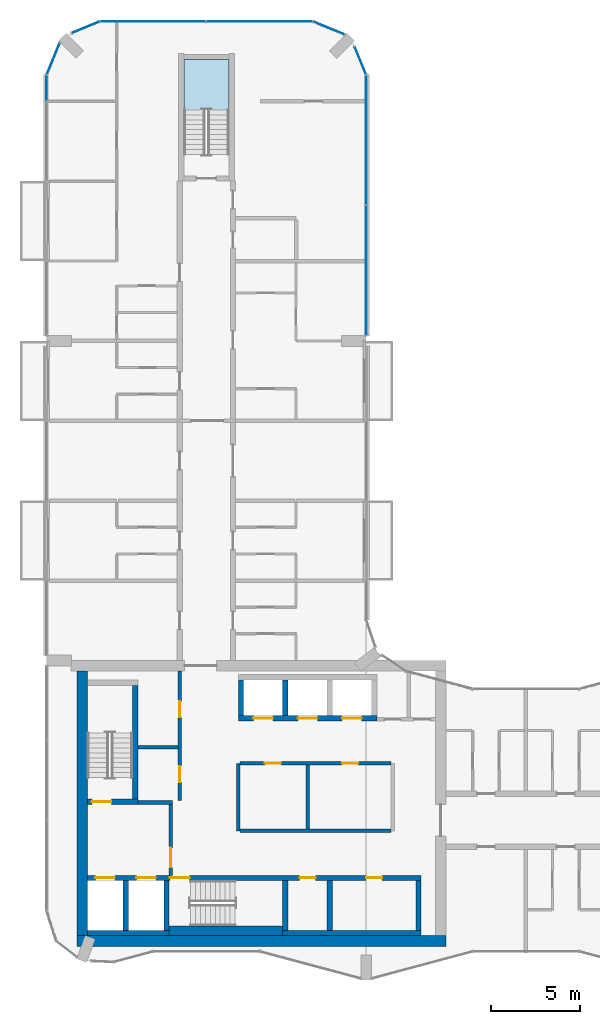
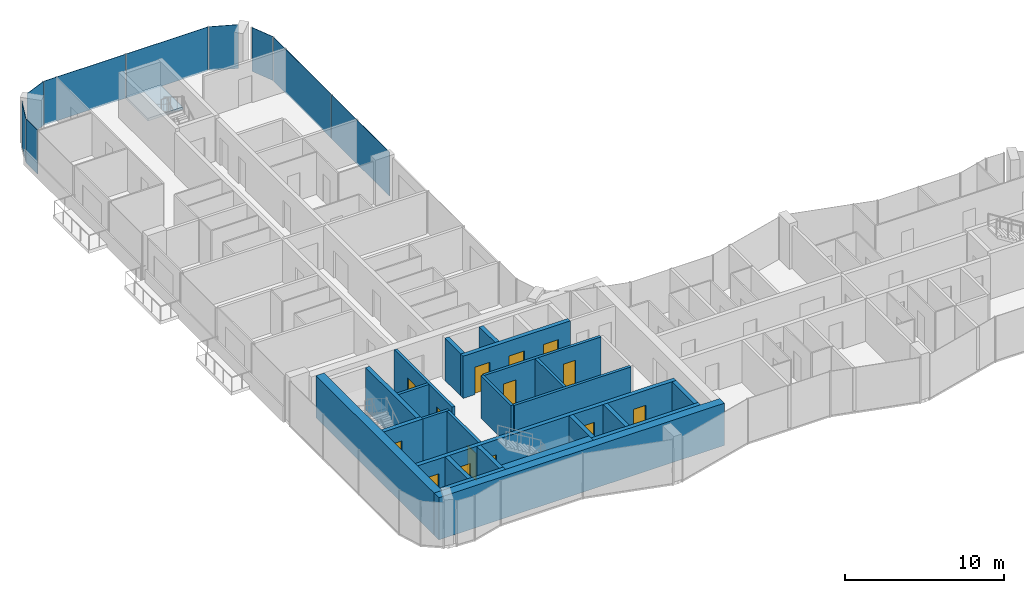
# One storey, part 9 of 16: 24 walls, 14 doors, 9 plates, 1 slab, 14 openings, 8 elements without a shape of their own.
"""IFC4 building model written with IfcOpenShell, lengths in metres."""

from ifc_helpers import new_model, si_unit, direction, frame, frame_2d, origin, origin_2d, place, context, subcontext, project, spatial, polyline, rectangle, outline, extrude, material, layer, layer_set, type_object, element, fill, aggregate, save


model = new_model("IFC4")

# Units and contexts
model_context = context("Model", 3, precision=1e-05, world=origin(), true_north=direction((0.0, 1.0)))
body_context = subcontext(model_context, "Body", "Model", "MODEL_VIEW")
ifc_project = project(units=[si_unit("LENGTHUNIT", "METRE"), si_unit("AREAUNIT", "SQUARE_METRE"), si_unit("VOLUMEUNIT", "CUBIC_METRE"), si_unit("PLANEANGLEUNIT", "RADIAN"), si_unit("MASSUNIT", "GRAM", prefix="KILO")], contexts=[model_context])

# Site, building, storey
site_placement = place(None, origin())
site = spatial("IfcSite", under=ifc_project, at=site_placement, CompositionType="ELEMENT")
building_placement = place(site_placement, origin())
building = spatial("IfcBuilding", under=site, at=building_placement, Name="Plateau Cross Towers", CompositionType="ELEMENT")
storey_placement = place(building_placement, frame((0.0, 0.0, 160.39990234375)))
storey = spatial("IfcBuildingStorey", under=building, at=storey_placement, Name="L41", CompositionType="ELEMENT", Elevation=160.39990234375)

# Curtain wall, plates
ifc_material_1 = material(Name="Dark low-iron glass", Category="glass")
ifc_layer_1 = layer(ifc_material_1, 0.239990234375)
ifc_layer_set_1 = layer_set([ifc_layer_1], Name="Dark low-iron glass")
curtain_wall_type = type_object("IfcCurtainWallType", Name="Curtain wall flush unitised CW-B", PredefinedType="NOTDEFINED", material=ifc_layer_set_1)
curtain_wall_1_placement = place(storey_placement, origin())
curtain_wall_1 = element("IfcCurtainWall", 1, at=curtain_wall_1_placement, inside=storey, type_object=curtain_wall_type, Name="ENV/A/L41/A180_363", PredefinedType="NOTDEFINED")
ifc_layer_2 = layer(ifc_material_1, 0.031982421875)
ifc_layer_set_2 = layer_set([ifc_layer_2], Name="Dark low-iron glass")
plate_type = type_object("IfcPlateType", Name="Glass panel 32 flush unitised", PredefinedType="CURTAIN_PANEL", material=ifc_layer_set_2)
plate_1_placement = place(storey_placement, frame((18.0, 39.97509765625, -0.1298828125), z_axis=(0.0, 0.0, 1.0), x_axis=(0.0, 1.0, 0.0)))
plate_1 = element("IfcPlate", 2, at=plate_1_placement, type_object=plate_type, Name="CW-B panel 1", PredefinedType="CURTAIN_PANEL", context=body_context, shape_type="SweptSolid", body=[
    extrude(rectangle(XDim=7.2900390625, YDim=0.031982421875, at=origin_2d()), origin(), (0.0, 0.0, 1.0), 3.3798828125),
])
plate_2_placement = place(storey_placement, frame((18.0, 47.324951171875, -0.1298828125), z_axis=(0.0, 0.0, 1.0), x_axis=(0.0, 1.0, 0.0)))
plate_2 = element("IfcPlate", 3, at=plate_2_placement, type_object=plate_type, Name="CW-B panel 2", PredefinedType="CURTAIN_PANEL", context=body_context, shape_type="SweptSolid", body=[
    extrude(rectangle(XDim=7.2900390625, YDim=0.031982421875, at=origin_2d()), origin(), (0.0, 0.0, 1.0), 3.3798828125),
])
aggregate(curtain_wall_1, [plate_1, plate_2])

# Curtain wall, plate
curtain_wall_2_placement = place(storey_placement, origin())
curtain_wall_2 = element("IfcCurtainWall", 4, at=curtain_wall_2_placement, inside=storey, type_object=curtain_wall_type, Name="ENV/A/L41/A180_510", PredefinedType="NOTDEFINED")
plate_3_placement = place(storey_placement, frame((17.66943359375, 51.79833984375, -0.1298828125), z_axis=(0.0, 0.0, 1.0), x_axis=(-0.382683612978, 0.923879457699, 0.0)))
plate_3 = element("IfcPlate", 5, at=plate_3_placement, type_object=plate_type, Name="CW-B panel 1", PredefinedType="CURTAIN_PANEL", context=body_context, shape_type="SweptSolid", body=[
    extrude(rectangle(XDim=1.668212890625, YDim=0.031982421875, at=origin_2d()), origin(), (0.0, 0.0, 1.0), 3.3798828125),
])
aggregate(curtain_wall_2, [plate_3])

curtain_wall_3_placement = place(storey_placement, origin())
curtain_wall_3 = element("IfcCurtainWall", 6, at=curtain_wall_3_placement, inside=storey, type_object=curtain_wall_type, Name="ENV/A/L41/A168_533", PredefinedType="NOTDEFINED")
plate_4_placement = place(storey_placement, frame((15.90283203125, 53.6259765625, -0.1298828125), z_axis=(0.0, 0.0, 1.0), x_axis=(-0.923879457699, 0.382683612978, 0.0)))
plate_4 = element("IfcPlate", 7, at=plate_4_placement, type_object=plate_type, Name="CW-B panel 1", PredefinedType="CURTAIN_PANEL", context=body_context, shape_type="SweptSolid", body=[
    extrude(rectangle(XDim=1.894775390625, YDim=0.031982421875, at=origin_2d()), origin(), (0.0, 0.0, 1.0), 3.3798828125),
])
aggregate(curtain_wall_3, [plate_4])

# Curtain wall, plates
curtain_wall_4_placement = place(storey_placement, origin())
curtain_wall_4 = element("IfcCurtainWall", 8, at=curtain_wall_4_placement, inside=storey, type_object=curtain_wall_type, Name="ENV/A/L41/A150_540", PredefinedType="NOTDEFINED")
plate_5_placement = place(storey_placement, frame((12.0, 54.0, -0.1298828125), z_axis=(0.0, 0.0, 1.0), x_axis=(-1.0, 0.0, 0.0)))
plate_5 = element("IfcPlate", 9, at=plate_5_placement, type_object=plate_type, Name="CW-B panel 1", PredefinedType="CURTAIN_PANEL", context=body_context, shape_type="SweptSolid", body=[
    extrude(rectangle(XDim=5.93994140625, YDim=0.031982421875, at=origin_2d()), origin(), (0.0, 0.0, 1.0), 3.3798828125),
])
plate_6_placement = place(storey_placement, frame((6.0, 54.0, -0.1298828125), z_axis=(0.0, 0.0, 1.0), x_axis=(-1.0, 0.0, 0.0)))
plate_6 = element("IfcPlate", 10, at=plate_6_placement, type_object=plate_type, Name="CW-B panel 2", PredefinedType="CURTAIN_PANEL", context=body_context, shape_type="SweptSolid", body=[
    extrude(rectangle(XDim=5.93994140625, YDim=0.031982421875, at=origin_2d()), origin(), (0.0, 0.0, 1.0), 3.3798828125),
])
aggregate(curtain_wall_4, [plate_5, plate_6])

# Curtain wall, plate
curtain_wall_5_placement = place(storey_placement, origin())
curtain_wall_5 = element("IfcCurtainWall", 11, at=curtain_wall_5_placement, inside=storey, type_object=curtain_wall_type, Name="ENV/A/L41/A30_540", PredefinedType="NOTDEFINED")
plate_7_placement = place(storey_placement, frame((2.20166015625, 53.66943359375, -0.1298828125), z_axis=(0.0, 0.0, 1.0), x_axis=(-0.923879457699, -0.382683612978, 0.0)))
plate_7 = element("IfcPlate", 12, at=plate_7_placement, type_object=plate_type, Name="CW-B panel 1", PredefinedType="CURTAIN_PANEL", context=body_context, shape_type="SweptSolid", body=[
    extrude(rectangle(XDim=1.668212890625, YDim=0.031982421875, at=origin_2d()), origin(), (0.0, 0.0, 1.0), 3.3798828125),
])
aggregate(curtain_wall_5, [plate_7])

curtain_wall_6_placement = place(storey_placement, origin())
curtain_wall_6 = element("IfcCurtainWall", 13, at=curtain_wall_6_placement, inside=storey, type_object=curtain_wall_type, Name="ENV/A/L41/A7_528", PredefinedType="NOTDEFINED")
plate_8_placement = place(storey_placement, frame((0.3740234375, 51.90283203125, -0.1298828125), z_axis=(0.0, 0.0, 1.0), x_axis=(-0.382683612978, -0.923879457699, 0.0)))
plate_8 = element("IfcPlate", 14, at=plate_8_placement, type_object=plate_type, Name="CW-B panel 1", PredefinedType="CURTAIN_PANEL", context=body_context, shape_type="SweptSolid", body=[
    extrude(rectangle(XDim=1.894775390625, YDim=0.031982421875, at=origin_2d()), origin(), (0.0, 0.0, 1.0), 3.3798828125),
])
aggregate(curtain_wall_6, [plate_8])

curtain_wall_7_placement = place(storey_placement, origin())
curtain_wall_7 = element("IfcCurtainWall", 15, at=curtain_wall_7_placement, inside=storey, type_object=curtain_wall_type, Name="ENV/A/L41/A0_510", PredefinedType="NOTDEFINED")
plate_9_placement = place(storey_placement, frame((0.0, 50.25, -0.1298828125), z_axis=(0.0, 0.0, 1.0), x_axis=(0.0, -1.0, 0.0)))
plate_9 = element("IfcPlate", 16, at=plate_9_placement, type_object=plate_type, Name="CW-B panel 1", PredefinedType="CURTAIN_PANEL", context=body_context, shape_type="SweptSolid", body=[
    extrude(rectangle(XDim=1.43994140625, YDim=0.031982421875, at=origin_2d()), origin(), (0.0, 0.0, 1.0), 3.3798828125),
])
aggregate(curtain_wall_7, [plate_9])

# Stair, slab
ifc_material_2 = material(Name="Concrete C40/50", Category="concrete")
stair_type = type_object("IfcStairType", Name="ST-TWR", PredefinedType="HALF_TURN_STAIR", material=ifc_material_2)
stair_placement = place(storey_placement, origin())
stair = element("IfcStair", 17, at=stair_placement, inside=storey, type_object=stair_type, Name="L41 Protected Exit Stair N", PredefinedType="HALF_TURN_STAIR")
ifc_layer_3 = layer(ifc_material_2, 0.199951171875)
ifc_layer_set_3 = layer_set([ifc_layer_3], Name="Concrete C40/50")
slab_type = type_object("IfcSlabType", Name="SL-LANDING", PredefinedType="LANDING", material=ifc_layer_set_3)
slab_placement = place(storey_placement, frame((0.0, 0.0, 1.550048828125)))
slab = element("IfcSlab", 18, at=slab_placement, type_object=slab_type, Name="ES-N landing 1", PredefinedType="LANDING", context=body_context, shape_type="SweptSolid", body=[
    extrude(outline(polyline([(10.27490234375, 49.02001953125), (10.27490234375, 51.85009765625), (7.72509765625, 51.85009765625), (7.72509765625, 49.02001953125), (10.27490234375, 49.02001953125)])), origin(), (0.0, 0.0, 1.0), 0.199951171875),
])
aggregate(stair, [slab])

# Wall, opening, door
ifc_material_3 = material(Name="Concrete block, plastered both sides", Category="concrete")
ifc_layer_4 = layer(ifc_material_3, 0.199951171875)
ifc_layer_set_4 = layer_set([ifc_layer_4], Name="Concrete block, plastered both sides")
wall_type_1 = type_object("IfcWallType", Name="Core partition 200", PredefinedType="PARTITIONING", material=ifc_layer_set_4)
wall_1_placement = place(storey_placement, frame((7.0, 5.89990234375, 0.0), z_axis=(0.0, 0.0, 1.0), x_axis=(0.0, 1.0, 0.0)))
wall_1 = element("IfcWall", 19, at=wall_1_placement, inside=storey, type_object=wall_type_1, Name="Core partition", PredefinedType="PARTITIONING", context=body_context, shape_type="SweptSolid", body=[
    extrude(rectangle(XDim=4.0, YDim=0.199951171875, at=frame_2d((2.0, 0.0))), origin(), (0.0, 0.0, 1.0), 3.25),
])
opening_1_placement = place(wall_1_placement, frame((0.449951171875, 0.0, 0.0)))
opening_1 = element("IfcOpeningElement", 20, at=opening_1_placement, cuts=wall_1, Name="Opening FFD", PredefinedType="OPENING", context=body_context, shape_type="SweptSolid", body=[
    extrude(rectangle(XDim=1.10009765625, YDim=2.10009765625, at=frame_2d((0.550048828125, 1.050048828125))), frame((0.0, 0.10986328125, 0.0), z_axis=(0.0, -1.0, 0.0), x_axis=(1.0, 0.0, 0.0)), (0.0, 0.0, 1.0), 0.219970703125),
])
ifc_material_4 = material(Name="Steel, fire-resisting leaf", Category="steel")
door_type_1 = type_object("IfcDoorType", Name="Firefighting lobby door 1100", OperationType="NOTDEFINED", PredefinedType="DOOR", material=ifc_material_4)
door_1_placement = place(opening_1_placement, origin())
door_1 = element("IfcDoor", 21, at=door_1_placement, inside=storey, type_object=door_type_1, Name="Firefighting lobby door FFD", OperationType="SINGLE_SWING_LEFT", OverallHeight=2.10009765625, OverallWidth=1.10009765625, PredefinedType="DOOR", context=body_context, shape_type="SweptSolid", body=[
    extrude(rectangle(XDim=1.10009765625, YDim=2.10009765625, at=frame_2d((0.550048828125, 1.050048828125))), frame((0.0, 0.02490234375, 0.0), z_axis=(0.0, -1.0, 0.0), x_axis=(1.0, 0.0, 0.0)), (0.0, 0.0, 1.0), 0.050048828125),
])
fill(opening_1, door_1)

# Walls
wall_2_placement = place(storey_placement, frame((5.14990234375, 10.0, 0.0), z_axis=(0.0, 0.0, 1.0), x_axis=(1.0, 0.0, 0.0)))
element("IfcWall", 22, at=wall_2_placement, inside=storey, type_object=wall_type_1, Name="Core partition", PredefinedType="PARTITIONING", context=body_context, shape_type="SweptSolid", body=[
    extrude(rectangle(XDim=1.9501953125, YDim=0.199951171875, at=frame_2d((0.97509765625, 0.0))), origin(), (0.0, 0.0, 1.0), 3.25),
])
wall_3_placement = place(storey_placement, frame((10.800048828125, 8.39990234375, 0.0), z_axis=(0.0, 0.0, 1.0), x_axis=(0.0, 1.0, 0.0)))
element("IfcWall", 23, at=wall_3_placement, inside=storey, type_object=wall_type_1, Name="Core partition", PredefinedType="PARTITIONING", context=body_context, shape_type="SweptSolid", body=[
    extrude(rectangle(XDim=3.800048828125, YDim=0.199951171875, at=frame_2d((1.89990234375, 0.0))), origin(), (0.0, 0.0, 1.0), 3.25),
])
wall_4_placement = place(storey_placement, frame((10.89990234375, 8.39990234375, 0.0), z_axis=(0.0, 0.0, 1.0), x_axis=(1.0, 0.0, 0.0)))
element("IfcWall", 24, at=wall_4_placement, inside=storey, type_object=wall_type_1, Name="Core partition", PredefinedType="PARTITIONING", context=body_context, shape_type="SweptSolid", body=[
    extrude(rectangle(XDim=8.5, YDim=0.199951171875, at=frame_2d((4.25, 0.0))), origin(), (0.0, 0.0, 1.0), 3.25),
])

# Wall, openings, doors
wall_5_placement = place(storey_placement, frame((10.89990234375, 12.199951171875, 0.0), z_axis=(0.0, 0.0, 1.0), x_axis=(1.0, 0.0, 0.0)))
wall_5 = element("IfcWall", 25, at=wall_5_placement, inside=storey, type_object=wall_type_1, Name="Core partition", PredefinedType="PARTITIONING", context=body_context, shape_type="SweptSolid", body=[
    extrude(rectangle(XDim=8.5, YDim=0.199951171875, at=frame_2d((4.25, 0.0))), origin(), (0.0, 0.0, 1.0), 3.25),
])
opening_2_placement = place(wall_5_placement, frame((1.39990234375, 0.0, 0.0)))
opening_2 = element("IfcOpeningElement", 26, at=opening_2_placement, cuts=wall_5, Name="Opening RD1", PredefinedType="OPENING", context=body_context, shape_type="SweptSolid", body=[
    extrude(rectangle(XDim=0.89990234375, YDim=2.10009765625, at=frame_2d((0.449951171875, 1.050048828125))), frame((0.0, 0.10986328125, 0.0), z_axis=(0.0, -1.0, 0.0), x_axis=(1.0, 0.0, 0.0)), (0.0, 0.0, 1.0), 0.219970703125),
])
opening_3_placement = place(wall_5_placement, frame((5.75, 0.0, 0.0)))
opening_3 = element("IfcOpeningElement", 27, at=opening_3_placement, cuts=wall_5, Name="Opening RD1", PredefinedType="OPENING", context=body_context, shape_type="SweptSolid", body=[
    extrude(rectangle(XDim=0.89990234375, YDim=2.10009765625, at=frame_2d((0.449951171875, 1.050048828125))), frame((0.0, 0.10986328125, 0.0), z_axis=(0.0, -1.0, 0.0), x_axis=(1.0, 0.0, 0.0)), (0.0, 0.0, 1.0), 0.219970703125),
])
ifc_material_5 = material(Name="Timber, fire-resisting leaf", Category="wood")
door_type_2 = type_object("IfcDoorType", Name="Core service door 900", OperationType="NOTDEFINED", PredefinedType="DOOR", material=ifc_material_5)
door_2_placement = place(opening_2_placement, origin())
door_2 = element("IfcDoor", 28, at=door_2_placement, inside=storey, type_object=door_type_2, Name="Core service door RD1", OperationType="SINGLE_SWING_LEFT", OverallHeight=2.10009765625, OverallWidth=0.89990234375, PredefinedType="DOOR", context=body_context, shape_type="SweptSolid", body=[
    extrude(rectangle(XDim=0.89990234375, YDim=2.10009765625, at=frame_2d((0.449951171875, 1.050048828125))), frame((0.0, 0.02490234375, 0.0), z_axis=(0.0, -1.0, 0.0), x_axis=(1.0, 0.0, 0.0)), (0.0, 0.0, 1.0), 0.050048828125),
])
fill(opening_2, door_2)
door_3_placement = place(opening_3_placement, origin())
door_3 = element("IfcDoor", 29, at=door_3_placement, inside=storey, type_object=door_type_2, Name="Core service door RD1", OperationType="SINGLE_SWING_LEFT", OverallHeight=2.10009765625, OverallWidth=0.89990234375, PredefinedType="DOOR", context=body_context, shape_type="SweptSolid", body=[
    extrude(rectangle(XDim=0.89990234375, YDim=2.10009765625, at=frame_2d((0.449951171875, 1.050048828125))), frame((0.0, 0.02490234375, 0.0), z_axis=(0.0, -1.0, 0.0), x_axis=(1.0, 0.0, 0.0)), (0.0, 0.0, 1.0), 0.050048828125),
])
fill(opening_3, door_3)

# Wall
wall_6_placement = place(storey_placement, frame((14.699951171875, 8.5, 0.0), z_axis=(0.0, 0.0, 1.0), x_axis=(0.0, 1.0, 0.0)))
element("IfcWall", 30, at=wall_6_placement, inside=storey, type_object=wall_type_1, Name="Core partition", PredefinedType="PARTITIONING", context=body_context, shape_type="SweptSolid", body=[
    extrude(rectangle(XDim=3.60009765625, YDim=0.199951171875, at=frame_2d((1.800048828125, 0.0))), origin(), (0.0, 0.0, 1.0), 3.25),
])

# Wall, openings, doors
wall_7_placement = place(storey_placement, frame((7.5, 10.10009765625, 0.0), z_axis=(0.0, 0.0, 1.0), x_axis=(0.0, 1.0, 0.0)))
wall_7 = element("IfcWall", 31, at=wall_7_placement, inside=storey, type_object=wall_type_1, Name="Core partition", PredefinedType="PARTITIONING", context=body_context, shape_type="SweptSolid", body=[
    extrude(rectangle(XDim=7.2998046875, YDim=0.199951171875, at=frame_2d((3.64990234375, 0.0))), origin(), (0.0, 0.0, 1.0), 3.25),
])
opening_4_placement = place(wall_7_placement, frame((1.050048828125, 0.0, 0.0)))
opening_4 = element("IfcOpeningElement", 32, at=opening_4_placement, cuts=wall_7, Name="Opening RD1", PredefinedType="OPENING", context=body_context, shape_type="SweptSolid", body=[
    extrude(rectangle(XDim=0.89990234375, YDim=2.10009765625, at=frame_2d((0.449951171875, 1.050048828125))), frame((0.0, 0.10986328125, 0.0), z_axis=(0.0, -1.0, 0.0), x_axis=(1.0, 0.0, 0.0)), (0.0, 0.0, 1.0), 0.219970703125),
])
opening_5_placement = place(wall_7_placement, frame((4.699951171875, 0.0, 0.0)))
opening_5 = element("IfcOpeningElement", 33, at=opening_5_placement, cuts=wall_7, Name="Opening RD1", PredefinedType="OPENING", context=body_context, shape_type="SweptSolid", body=[
    extrude(rectangle(XDim=0.89990234375, YDim=2.10009765625, at=frame_2d((0.449951171875, 1.050048828125))), frame((0.0, 0.10986328125, 0.0), z_axis=(0.0, -1.0, 0.0), x_axis=(1.0, 0.0, 0.0)), (0.0, 0.0, 1.0), 0.219970703125),
])
door_4_placement = place(opening_4_placement, origin())
door_4 = element("IfcDoor", 34, at=door_4_placement, inside=storey, type_object=door_type_2, Name="Core service door RD1", OperationType="SINGLE_SWING_RIGHT", OverallHeight=2.10009765625, OverallWidth=0.89990234375, PredefinedType="DOOR", context=body_context, shape_type="SweptSolid", body=[
    extrude(rectangle(XDim=0.89990234375, YDim=2.10009765625, at=frame_2d((0.449951171875, 1.050048828125))), frame((0.0, 0.02490234375, 0.0), z_axis=(0.0, -1.0, 0.0), x_axis=(1.0, 0.0, 0.0)), (0.0, 0.0, 1.0), 0.050048828125),
])
fill(opening_4, door_4)
door_5_placement = place(opening_5_placement, origin())
door_5 = element("IfcDoor", 35, at=door_5_placement, inside=storey, type_object=door_type_2, Name="Core service door RD1", OperationType="SINGLE_SWING_RIGHT", OverallHeight=2.10009765625, OverallWidth=0.89990234375, PredefinedType="DOOR", context=body_context, shape_type="SweptSolid", body=[
    extrude(rectangle(XDim=0.89990234375, YDim=2.10009765625, at=frame_2d((0.449951171875, 1.050048828125))), frame((0.0, 0.02490234375, 0.0), z_axis=(0.0, -1.0, 0.0), x_axis=(1.0, 0.0, 0.0)), (0.0, 0.0, 1.0), 0.050048828125),
])
fill(opening_5, door_5)

# Walls
wall_8_placement = place(storey_placement, frame((5.14990234375, 13.10009765625, 0.0), z_axis=(0.0, 0.0, 1.0), x_axis=(1.0, 0.0, 0.0)))
element("IfcWall", 36, at=wall_8_placement, inside=storey, type_object=wall_type_1, Name="Core partition", PredefinedType="PARTITIONING", context=body_context, shape_type="SweptSolid", body=[
    extrude(rectangle(XDim=2.25, YDim=0.199951171875, at=frame_2d((1.125, 0.0))), origin(), (0.0, 0.0, 1.0), 3.25),
])
ifc_material_6 = material(Name="Concrete C60/75", Category="concrete")
ifc_layer_5 = layer(ifc_material_6, 0.300048828125)
ifc_layer_set_5 = layer_set([ifc_layer_5], Name="Concrete C60/75")
wall_type_2 = type_object("IfcWallType", Name="Core shaft wall 300", PredefinedType="SHEAR", material=ifc_layer_set_5)
wall_9_placement = place(storey_placement, frame((2.300048828125, 2.64990234375, 0.0), z_axis=(0.0, 0.0, 1.0), x_axis=(1.0, 0.0, 0.0)))
element("IfcWall", 37, at=wall_9_placement, inside=storey, type_object=wall_type_2, Name="A-sb-back1@L41", PredefinedType="SHEAR", context=body_context, shape_type="SweptSolid", body=[
    extrude(rectangle(XDim=4.599853515625, YDim=0.300048828125, at=frame_2d((2.2998046875, 0.0))), origin(), (0.0, 0.0, 1.0), 3.25),
])
wall_10_placement = place(storey_placement, frame((13.300048828125, 2.64990234375, 0.0), z_axis=(0.0, 0.0, 1.0), x_axis=(1.0, 0.0, 0.0)))
element("IfcWall", 38, at=wall_10_placement, inside=storey, type_object=wall_type_2, Name="A-sb-back3@L41", PredefinedType="SHEAR", context=body_context, shape_type="SweptSolid", body=[
    extrude(rectangle(XDim=7.800048828125, YDim=0.300048828125, at=frame_2d((3.89990234375, 0.0))), origin(), (0.0, 0.0, 1.0), 3.25),
])
for number, where, z_axis, x_axis, name in (
    (39, (4.449951171875, 2.800048828125, 0.0), (0.0, 0.0, 1.0), (0.0, 1.0, 0.0), "A-sb-v1@L41"),
    (40, (6.75, 2.800048828125, 0.0), (0.0, 0.0, 1.0), (0.0, 1.0, 0.0), "A-sb-v2@L41"),
    (41, (13.449951171875, 2.800048828125, 0.0), (0.0, 0.0, 1.0), (0.0, 1.0, 0.0), "A-sb-v3@L41"),
    (42, (15.949951171875, 2.800048828125, 0.0), (0.0, 0.0, 1.0), (0.0, 1.0, 0.0), "A-sb-v4@L41"),
    (43, (20.949951171875, 2.800048828125, 0.0), (0.0, 0.0, 1.0), (0.0, 1.0, 0.0), "A-sb-v6@L41"),
):
    element("IfcWall", number, at=place(storey_placement, frame(where, z_axis=z_axis, x_axis=x_axis)), inside=storey, type_object=wall_type_2, Name=name, PredefinedType="SHEAR", context=body_context, shape_type="SweptSolid", body=[
        extrude(rectangle(XDim=2.800048828125, YDim=0.300048828125, at=frame_2d((1.39990234375, 0.0))), origin(), (0.0, 0.0, 1.0), 3.25),
    ])

# Wall, openings, doors
wall_11_placement = place(storey_placement, frame((2.300048828125, 5.75, 0.0), z_axis=(0.0, 0.0, 1.0), x_axis=(1.0, 0.0, 0.0)))
wall_11 = element("IfcWall", 44, at=wall_11_placement, inside=storey, type_object=wall_type_2, Name="A-sb-front@L41", PredefinedType="SHEAR", context=body_context, shape_type="SweptSolid", body=[
    extrude(rectangle(XDim=18.800048828125, YDim=0.300048828125, at=frame_2d((9.39990234375, 0.0))), origin(), (0.0, 0.0, 1.0), 3.25),
])
opening_6_placement = place(wall_11_placement, frame((4.64990234375, 0.0, 0.0)))
opening_6 = element("IfcOpeningElement", 45, at=opening_6_placement, cuts=wall_11, Name="Opening SD", PredefinedType="OPENING", context=body_context, shape_type="SweptSolid", body=[
    extrude(rectangle(XDim=1.10009765625, YDim=2.10009765625, at=frame_2d((0.550048828125, 1.050048828125))), frame((0.0, 0.159912109375, 0.0), z_axis=(0.0, -1.0, 0.0), x_axis=(1.0, 0.0, 0.0)), (0.0, 0.0, 1.0), 0.320068359375),
])
opening_7_placement = place(wall_11_placement, frame((0.449951171875, 0.0, 0.0)))
opening_7 = element("IfcOpeningElement", 46, at=opening_7_placement, cuts=wall_11, Name="Opening LD", PredefinedType="OPENING", context=body_context, shape_type="SweptSolid", body=[
    extrude(rectangle(XDim=1.10009765625, YDim=2.10009765625, at=frame_2d((0.550048828125, 1.050048828125))), frame((0.0, 0.159912109375, 0.0), z_axis=(0.0, -1.0, 0.0), x_axis=(1.0, 0.0, 0.0)), (0.0, 0.0, 1.0), 0.320068359375),
])
opening_8_placement = place(wall_11_placement, frame((2.75, 0.0, 0.0)))
opening_8 = element("IfcOpeningElement", 47, at=opening_8_placement, cuts=wall_11, Name="Opening LD", PredefinedType="OPENING", context=body_context, shape_type="SweptSolid", body=[
    extrude(rectangle(XDim=1.10009765625, YDim=2.10009765625, at=frame_2d((0.550048828125, 1.050048828125))), frame((0.0, 0.159912109375, 0.0), z_axis=(0.0, -1.0, 0.0), x_axis=(1.0, 0.0, 0.0)), (0.0, 0.0, 1.0), 0.320068359375),
])
opening_9_placement = place(wall_11_placement, frame((11.949951171875, 0.0, 0.0)))
opening_9 = element("IfcOpeningElement", 48, at=opening_9_placement, cuts=wall_11, Name="Opening RD2", PredefinedType="OPENING", context=body_context, shape_type="SweptSolid", body=[
    extrude(rectangle(XDim=0.89990234375, YDim=2.10009765625, at=frame_2d((0.449951171875, 1.050048828125))), frame((0.0, 0.159912109375, 0.0), z_axis=(0.0, -1.0, 0.0), x_axis=(1.0, 0.0, 0.0)), (0.0, 0.0, 1.0), 0.320068359375),
])
opening_10_placement = place(wall_11_placement, frame((15.699951171875, 0.0, 0.0)))
opening_10 = element("IfcOpeningElement", 49, at=opening_10_placement, cuts=wall_11, Name="Opening RD2", PredefinedType="OPENING", context=body_context, shape_type="SweptSolid", body=[
    extrude(rectangle(XDim=0.89990234375, YDim=2.10009765625, at=frame_2d((0.449951171875, 1.050048828125))), frame((0.0, 0.159912109375, 0.0), z_axis=(0.0, -1.0, 0.0), x_axis=(1.0, 0.0, 0.0)), (0.0, 0.0, 1.0), 0.320068359375),
])
door_type_3 = type_object("IfcDoorType", Name="Core riser door 900", OperationType="NOTDEFINED", PredefinedType="DOOR", material=ifc_material_4)
door_6_placement = place(opening_9_placement, origin())
door_6 = element("IfcDoor", 50, at=door_6_placement, inside=storey, type_object=door_type_3, Name="Core riser door RD2", OperationType="SINGLE_SWING_LEFT", OverallHeight=2.10009765625, OverallWidth=0.89990234375, PredefinedType="DOOR", context=body_context, shape_type="SweptSolid", body=[
    extrude(rectangle(XDim=0.89990234375, YDim=2.10009765625, at=frame_2d((0.449951171875, 1.050048828125))), frame((0.0, 0.02490234375, 0.0), z_axis=(0.0, -1.0, 0.0), x_axis=(1.0, 0.0, 0.0)), (0.0, 0.0, 1.0), 0.050048828125),
])
fill(opening_9, door_6)
door_7_placement = place(opening_10_placement, origin())
door_7 = element("IfcDoor", 51, at=door_7_placement, inside=storey, type_object=door_type_3, Name="Core riser door RD2", OperationType="SINGLE_SWING_LEFT", OverallHeight=2.10009765625, OverallWidth=0.89990234375, PredefinedType="DOOR", context=body_context, shape_type="SweptSolid", body=[
    extrude(rectangle(XDim=0.89990234375, YDim=2.10009765625, at=frame_2d((0.449951171875, 1.050048828125))), frame((0.0, 0.02490234375, 0.0), z_axis=(0.0, -1.0, 0.0), x_axis=(1.0, 0.0, 0.0)), (0.0, 0.0, 1.0), 0.050048828125),
])
fill(opening_10, door_7)
ifc_material_7 = material(Name="Stainless steel, fire-resisting sliding leaves", Category="steel")
door_type_4 = type_object("IfcDoorType", Name="Lift landing door 1100", OperationType="NOTDEFINED", PredefinedType="DOOR", material=ifc_material_7)
door_8_placement = place(opening_7_placement, origin())
door_8 = element("IfcDoor", 52, at=door_8_placement, inside=storey, type_object=door_type_4, Name="Lift landing door LD", OperationType="DOUBLE_DOOR_SLIDING", OverallHeight=2.10009765625, OverallWidth=1.10009765625, PredefinedType="DOOR", context=body_context, shape_type="SweptSolid", body=[
    extrude(rectangle(XDim=1.10009765625, YDim=2.10009765625, at=frame_2d((0.550048828125, 1.050048828125))), frame((0.0, 0.02490234375, 0.0), z_axis=(0.0, -1.0, 0.0), x_axis=(1.0, 0.0, 0.0)), (0.0, 0.0, 1.0), 0.050048828125),
])
fill(opening_7, door_8)
door_9_placement = place(opening_8_placement, origin())
door_9 = element("IfcDoor", 53, at=door_9_placement, inside=storey, type_object=door_type_4, Name="Lift landing door LD", OperationType="DOUBLE_DOOR_SLIDING", OverallHeight=2.10009765625, OverallWidth=1.10009765625, PredefinedType="DOOR", context=body_context, shape_type="SweptSolid", body=[
    extrude(rectangle(XDim=1.10009765625, YDim=2.10009765625, at=frame_2d((0.550048828125, 1.050048828125))), frame((0.0, 0.02490234375, 0.0), z_axis=(0.0, -1.0, 0.0), x_axis=(1.0, 0.0, 0.0)), (0.0, 0.0, 1.0), 0.050048828125),
])
fill(opening_8, door_9)
door_type_5 = type_object("IfcDoorType", Name="Stair door 1100", OperationType="NOTDEFINED", PredefinedType="DOOR", material=ifc_material_4)
door_10_placement = place(opening_6_placement, origin())
door_10 = element("IfcDoor", 54, at=door_10_placement, inside=storey, type_object=door_type_5, Name="Stair door SD", OperationType="SINGLE_SWING_LEFT", OverallHeight=2.10009765625, OverallWidth=1.10009765625, PredefinedType="DOOR", context=body_context, shape_type="SweptSolid", body=[
    extrude(rectangle(XDim=1.10009765625, YDim=2.10009765625, at=frame_2d((0.550048828125, 1.050048828125))), frame((0.0, 0.02490234375, 0.0), z_axis=(0.0, -1.0, 0.0), x_axis=(1.0, 0.0, 0.0)), (0.0, 0.0, 1.0), 0.050048828125),
])
fill(opening_6, door_10)

# Wall, opening, door
wall_12_placement = place(storey_placement, frame((2.300048828125, 10.050048828125, 0.0), z_axis=(0.0, 0.0, 1.0), x_axis=(1.0, 0.0, 0.0)))
wall_12 = element("IfcWall", 55, at=wall_12_placement, inside=storey, type_object=wall_type_2, Name="A-st1-S@L41", PredefinedType="SHEAR", context=body_context, shape_type="SweptSolid", body=[
    extrude(rectangle(XDim=2.849853515625, YDim=0.300048828125, at=frame_2d((1.4248046875, 0.0))), origin(), (0.0, 0.0, 1.0), 3.25),
])
opening_11_placement = place(wall_12_placement, frame((0.25, 0.0, 0.0)))
opening_11 = element("IfcOpeningElement", 56, at=opening_11_placement, cuts=wall_12, Name="Opening SD", PredefinedType="OPENING", context=body_context, shape_type="SweptSolid", body=[
    extrude(rectangle(XDim=1.10009765625, YDim=2.10009765625, at=frame_2d((0.550048828125, 1.050048828125))), frame((0.0, 0.159912109375, 0.0), z_axis=(0.0, -1.0, 0.0), x_axis=(1.0, 0.0, 0.0)), (0.0, 0.0, 1.0), 0.320068359375),
])
door_11_placement = place(opening_11_placement, origin())
door_11 = element("IfcDoor", 57, at=door_11_placement, inside=storey, type_object=door_type_5, Name="Stair door SD", OperationType="SINGLE_SWING_RIGHT", OverallHeight=2.10009765625, OverallWidth=1.10009765625, PredefinedType="DOOR", context=body_context, shape_type="SweptSolid", body=[
    extrude(rectangle(XDim=1.10009765625, YDim=2.10009765625, at=frame_2d((0.550048828125, 1.050048828125))), frame((0.0, 0.02490234375, 0.0), z_axis=(0.0, -1.0, 0.0), x_axis=(1.0, 0.0, 0.0)), (0.0, 0.0, 1.0), 0.050048828125),
])
fill(opening_11, door_11)

# Wall
wall_13_placement = place(storey_placement, frame((5.0, 10.199951171875, 0.0), z_axis=(0.0, 0.0, 1.0), x_axis=(0.0, 1.0, 0.0)))
element("IfcWall", 58, at=wall_13_placement, inside=storey, type_object=wall_type_2, Name="A-st1-E@L41", PredefinedType="SHEAR", context=body_context, shape_type="SweptSolid", body=[
    extrude(rectangle(XDim=6.400146484375, YDim=0.300048828125, at=frame_2d((3.2001953125, 0.0))), origin(), (0.0, 0.0, 1.0), 3.25),
])

# Wall, openings, doors
wall_14_placement = place(storey_placement, frame((10.800048828125, 14.75, 0.0), z_axis=(0.0, 0.0, 1.0), x_axis=(1.0, 0.0, 0.0)))
wall_14 = element("IfcWall", 59, at=wall_14_placement, inside=storey, type_object=wall_type_2, Name="A-nb-front@L41", PredefinedType="SHEAR", context=body_context, shape_type="SweptSolid", body=[
    extrude(rectangle(XDim=7.800048828125, YDim=0.300048828125, at=frame_2d((3.89990234375, 0.0))), origin(), (0.0, 0.0, 1.0), 3.25),
])
opening_12_placement = place(wall_14_placement, frame((0.85009765625, 0.0, 0.0)))
opening_12 = element("IfcOpeningElement", 60, at=opening_12_placement, cuts=wall_14, Name="Opening LD", PredefinedType="OPENING", context=body_context, shape_type="SweptSolid", body=[
    extrude(rectangle(XDim=1.10009765625, YDim=2.10009765625, at=frame_2d((0.550048828125, 1.050048828125))), frame((0.0, 0.159912109375, 0.0), z_axis=(0.0, -1.0, 0.0), x_axis=(1.0, 0.0, 0.0)), (0.0, 0.0, 1.0), 0.320068359375),
])
opening_13_placement = place(wall_14_placement, frame((3.35009765625, 0.0, 0.0)))
opening_13 = element("IfcOpeningElement", 61, at=opening_13_placement, cuts=wall_14, Name="Opening LD", PredefinedType="OPENING", context=body_context, shape_type="SweptSolid", body=[
    extrude(rectangle(XDim=1.10009765625, YDim=2.10009765625, at=frame_2d((0.550048828125, 1.050048828125))), frame((0.0, 0.159912109375, 0.0), z_axis=(0.0, -1.0, 0.0), x_axis=(1.0, 0.0, 0.0)), (0.0, 0.0, 1.0), 0.320068359375),
])
opening_14_placement = place(wall_14_placement, frame((5.85009765625, 0.0, 0.0)))
opening_14 = element("IfcOpeningElement", 62, at=opening_14_placement, cuts=wall_14, Name="Opening LD", PredefinedType="OPENING", context=body_context, shape_type="SweptSolid", body=[
    extrude(rectangle(XDim=1.10009765625, YDim=2.10009765625, at=frame_2d((0.550048828125, 1.050048828125))), frame((0.0, 0.159912109375, 0.0), z_axis=(0.0, -1.0, 0.0), x_axis=(1.0, 0.0, 0.0)), (0.0, 0.0, 1.0), 0.320068359375),
])
door_12_placement = place(opening_12_placement, origin())
door_12 = element("IfcDoor", 63, at=door_12_placement, inside=storey, type_object=door_type_4, Name="Lift landing door LD", OperationType="DOUBLE_DOOR_SLIDING", OverallHeight=2.10009765625, OverallWidth=1.10009765625, PredefinedType="DOOR", context=body_context, shape_type="SweptSolid", body=[
    extrude(rectangle(XDim=1.10009765625, YDim=2.10009765625, at=frame_2d((0.550048828125, 1.050048828125))), frame((0.0, 0.02490234375, 0.0), z_axis=(0.0, -1.0, 0.0), x_axis=(1.0, 0.0, 0.0)), (0.0, 0.0, 1.0), 0.050048828125),
])
fill(opening_12, door_12)
door_13_placement = place(opening_13_placement, origin())
door_13 = element("IfcDoor", 64, at=door_13_placement, inside=storey, type_object=door_type_4, Name="Lift landing door LD", OperationType="DOUBLE_DOOR_SLIDING", OverallHeight=2.10009765625, OverallWidth=1.10009765625, PredefinedType="DOOR", context=body_context, shape_type="SweptSolid", body=[
    extrude(rectangle(XDim=1.10009765625, YDim=2.10009765625, at=frame_2d((0.550048828125, 1.050048828125))), frame((0.0, 0.02490234375, 0.0), z_axis=(0.0, -1.0, 0.0), x_axis=(1.0, 0.0, 0.0)), (0.0, 0.0, 1.0), 0.050048828125),
])
fill(opening_13, door_13)
door_14_placement = place(opening_14_placement, origin())
door_14 = element("IfcDoor", 65, at=door_14_placement, inside=storey, type_object=door_type_4, Name="Lift landing door LD", OperationType="DOUBLE_DOOR_SLIDING", OverallHeight=2.10009765625, OverallWidth=1.10009765625, PredefinedType="DOOR", context=body_context, shape_type="SweptSolid", body=[
    extrude(rectangle(XDim=1.10009765625, YDim=2.10009765625, at=frame_2d((0.550048828125, 1.050048828125))), frame((0.0, 0.02490234375, 0.0), z_axis=(0.0, -1.0, 0.0), x_axis=(1.0, 0.0, 0.0)), (0.0, 0.0, 1.0), 0.050048828125),
])
fill(opening_14, door_14)

# Walls
for number, where, z_axis, x_axis, name in (
    (66, (10.949951171875, 14.89990234375, 0.0), (0.0, 0.0, 1.0), (0.0, 1.0, 0.0), "A-nb-v1@L41"),
    (67, (13.449951171875, 14.89990234375, 0.0), (0.0, 0.0, 1.0), (0.0, 1.0, 0.0), "A-nb-v2@L41"),
):
    element("IfcWall", number, at=place(storey_placement, frame(where, z_axis=z_axis, x_axis=x_axis)), inside=storey, type_object=wall_type_2, Name=name, PredefinedType="SHEAR", context=body_context, shape_type="SweptSolid", body=[
        extrude(rectangle(XDim=2.0, YDim=0.300048828125, at=frame_2d((1.0, 0.0))), origin(), (0.0, 0.0, 1.0), 3.25),
    ])
ifc_layer_6 = layer(ifc_material_6, 0.550048828125)
ifc_layer_set_6 = layer_set([ifc_layer_6], Name="Concrete C60/75")
wall_type_3 = type_object("IfcWallType", Name="Core shaft wall 550", PredefinedType="SHEAR", material=ifc_layer_set_6)
wall_15_placement = place(storey_placement, frame((6.89990234375, 2.77490234375, 0.0), z_axis=(0.0, 0.0, 1.0), x_axis=(1.0, 0.0, 0.0)))
element("IfcWall", 68, at=wall_15_placement, inside=storey, type_object=wall_type_3, Name="A-sb-back2@L41", PredefinedType="SHEAR", context=body_context, shape_type="SweptSolid", body=[
    extrude(rectangle(XDim=6.400146484375, YDim=0.550048828125, at=frame_2d((3.2001953125, 0.0))), origin(), (0.0, 0.0, 1.0), 3.25),
])
ifc_layer_7 = layer(ifc_material_6, 0.60009765625)
ifc_layer_set_7 = layer_set([ifc_layer_7], Name="Concrete C60/75")
wall_type_4 = type_object("IfcWallType", Name="Core shell wall 600", PredefinedType="SHEAR", material=ifc_layer_set_7)
wall_16_placement = place(storey_placement, frame((1.699951171875, 2.199951171875, 0.0), z_axis=(0.0, 0.0, 1.0), x_axis=(1.0, 0.0, 0.0)))
element("IfcWall", 69, at=wall_16_placement, inside=storey, type_object=wall_type_4, Name="A-core-S@L41", PredefinedType="SHEAR", context=body_context, shape_type="SweptSolid", body=[
    extrude(rectangle(XDim=20.800048828125, YDim=0.60009765625, at=frame_2d((10.39990234375, 0.0))), origin(), (0.0, 0.0, 1.0), 3.25),
])
wall_17_placement = place(storey_placement, frame((2.0, 2.5, 0.0), z_axis=(0.0, 0.0, 1.0), x_axis=(0.0, 1.0, 0.0)))
element("IfcWall", 70, at=wall_17_placement, inside=storey, type_object=wall_type_4, Name="A-core-W@L41", PredefinedType="SHEAR", context=body_context, shape_type="SweptSolid", body=[
    extrude(rectangle(XDim=14.89990234375, YDim=0.60009765625, at=frame_2d((7.449951171875, 0.0))), origin(), (0.0, 0.0, 1.0), 3.25),
])

save(model, "model.ifc")
